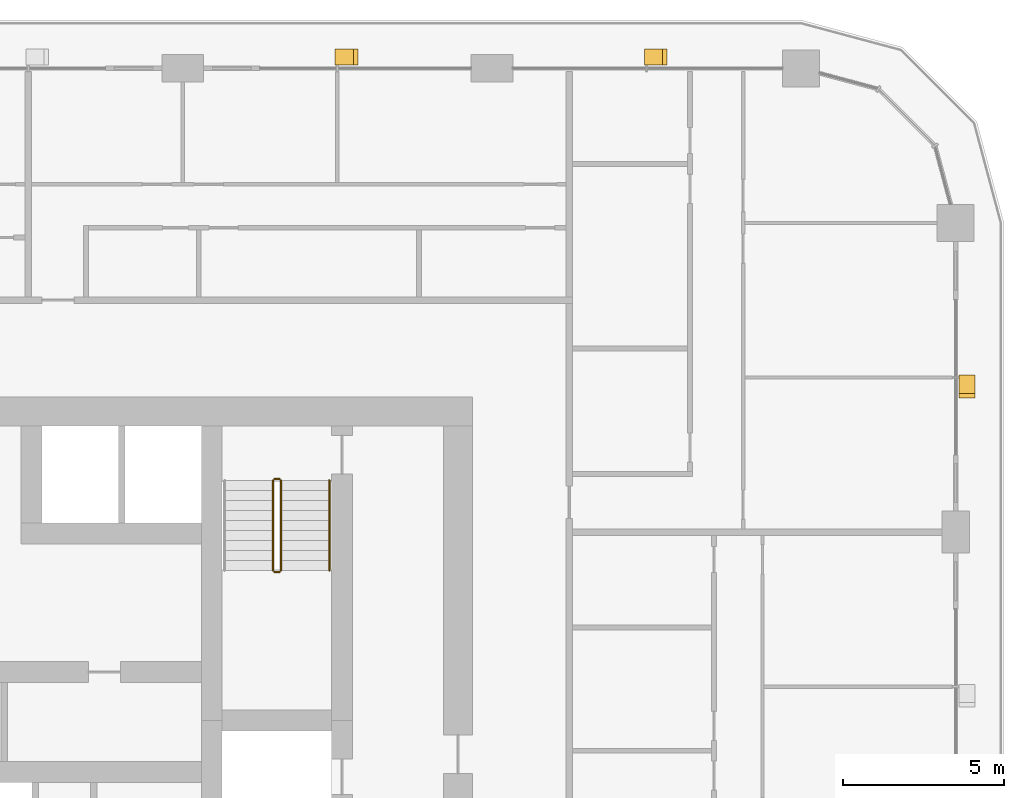
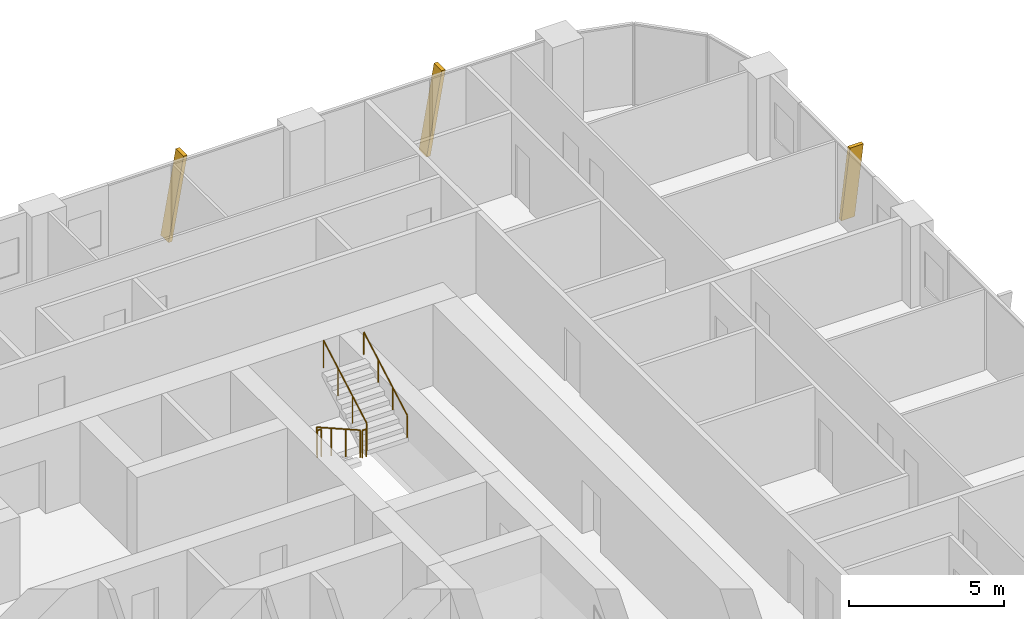
# One storey, part 22 of 22: 5 railings, 3 shading devices.
"""IFC4 building model written with IfcOpenShell, lengths in metres."""

from ifc_helpers import new_model, si_unit, direction, frame, origin, origin_2d, place, context, subcontext, project, spatial, polyline, circle, outline, extrude, material, type_object, element, save


model = new_model("IFC4")

# Units and contexts
model_context = context("Model", 3, precision=1e-05, world=origin(), true_north=direction((0.0, 1.0)))
body_context = subcontext(model_context, "Body", "Model", "MODEL_VIEW")
ifc_project = project(units=[si_unit("LENGTHUNIT", "METRE"), si_unit("AREAUNIT", "SQUARE_METRE"), si_unit("VOLUMEUNIT", "CUBIC_METRE"), si_unit("PLANEANGLEUNIT", "RADIAN"), si_unit("MASSUNIT", "GRAM", prefix="KILO")], contexts=[model_context])

# Site, building, storey
site_placement = place(None, origin())
site = spatial("IfcSite", under=ifc_project, at=site_placement, CompositionType="ELEMENT")
building_placement = place(site_placement, origin())
building = spatial("IfcBuilding", under=site, at=building_placement, Name="Madar Terraces", CompositionType="ELEMENT")
storey_placement = place(building_placement, frame((0.0, 0.0, 76.800048828125)))
storey = spatial("IfcBuildingStorey", under=building, at=storey_placement, Name="L19", CompositionType="ELEMENT", Elevation=76.800048828125)

# Shading devices
ifc_material_1 = material(Name="Aluminium, black anodised", Category="aluminium")
shading_device_type = type_object("IfcShadingDeviceType", Name="Facade fin blade 140 x 500", PredefinedType="USERDEFINED", material=ifc_material_1)
shading_device_placement = place(storey_placement, frame((62.75, 38.330078125, 0.0), z_axis=(0.0, 0.0, 1.0), x_axis=(0.0, 1.0, 0.0)))
element("IfcShadingDevice", 1, at=shading_device_placement, inside=storey, type_object=shading_device_type, Name="FIN L19 E4", ObjectType="FIN", PredefinedType="USERDEFINED", context=body_context, shape_type="SweptSolid", body=[
    extrude(outline(polyline([(0.0, 0.0), (0.139892578125, 0.0), (-0.42431640625, 3.199951171875), (-0.564208984375, 3.199951171875), (0.0, 0.0)])), frame((0.0, 0.25, 0.0), z_axis=(0.0, -1.0, 0.0), x_axis=(1.0, 0.0, 0.0)), (0.0, 0.0, 1.0), 0.5),
])
for number, where, z_axis, x_axis, name in (
    (2, (52.8701171875, 48.35009765625, 0.0), (0.0, 0.0, 1.0), (-1.0, 0.0, 0.0), "FIN L19 N1"),
    (3, (43.27001953125, 48.35009765625, 0.0), (0.0, 0.0, 1.0), (-1.0, 0.0, 0.0), "FIN L19 N2"),
):
    element("IfcShadingDevice", number, at=place(storey_placement, frame(where, z_axis=z_axis, x_axis=x_axis)), inside=storey, type_object=shading_device_type, Name=name, ObjectType="FIN", PredefinedType="USERDEFINED", context=body_context, shape_type="SweptSolid", body=[
        extrude(outline(polyline([(0.0, 0.0), (0.14013671875, 0.0), (-0.42431640625, 3.199951171875), (-0.564208984375, 3.199951171875), (0.0, 0.0)])), frame((0.0, 0.25, 0.0), z_axis=(0.0, -1.0, 0.0), x_axis=(1.0, 0.0, 0.0)), (0.0, 0.0, 1.0), 0.5),
    ])

# Railings
ifc_material_2 = material(Name="Stainless steel railing", Category="steel")
railing_type_1 = type_object("IfcRailingType", Name="Stair guard 1100", PredefinedType="GUARDRAIL", material=ifc_material_2)
railing_1_placement = place(storey_placement, frame((41.199951171875, 35.199951171875, 0.175048828125)))
element("IfcRailing", 4, at=railing_1_placement, inside=storey, type_object=railing_type_1, Name="L19 ST2 stair guard 1", PredefinedType="GUARDRAIL", context=body_context, shape_type="SweptSolid", body=[
    extrude(circle(Radius=0.02392578125, at=origin_2d()), frame((0.0, 0.0, 1.076171875), z_axis=(0.0, -0.870833779661, 0.491577591232), x_axis=(1.0, 0.0, 0.0)), (0.0, 0.0, 1.0), 3.203857421875),
    extrude(circle(Radius=0.02099609375, at=origin_2d()), origin(), (0.0, 0.0, 1.0), 1.052001953125),
    extrude(circle(Radius=0.02099609375, at=origin_2d()), frame((0.0, -0.929931640625, 0.52490234375)), (0.0, 0.0, 1.0), 1.052001953125),
    extrude(circle(Radius=0.02099609375, at=origin_2d()), frame((0.0, -1.860107421875, 1.050048828125)), (0.0, 0.0, 1.0), 1.052001953125),
    extrude(circle(Radius=0.02099609375, at=origin_2d()), frame((0.0, -2.7900390625, 1.574951171875)), (0.0, 0.0, 1.0), 1.052001953125),
])
railing_2_placement = place(storey_placement, frame((41.25, 32.360107421875, 1.75)))
element("IfcRailing", 5, at=railing_2_placement, inside=storey, type_object=railing_type_1, Name="L19 ST2 stair guard 2", PredefinedType="GUARDRAIL", context=body_context, shape_type="SweptSolid", body=[
    extrude(circle(Radius=0.02392578125, at=origin_2d()), frame((0.0, 0.0, 1.076171875), z_axis=(1.0, 0.0, 0.0), x_axis=(0.0, 1.0, 0.0)), (0.0, 0.0, 1.0), 0.14990234375),
    extrude(circle(Radius=0.02099609375, at=origin_2d()), origin(), (0.0, 0.0, 1.0), 1.052001953125),
    extrude(circle(Radius=0.02099609375, at=origin_2d()), frame((0.14990234375, 0.0, 0.0)), (0.0, 0.0, 1.0), 1.052001953125),
])
railing_3_placement = place(storey_placement, frame((41.449951171875, 32.409912109375, 1.925048828125)))
element("IfcRailing", 6, at=railing_3_placement, inside=storey, type_object=railing_type_1, Name="L19 ST2 stair guard 3", PredefinedType="GUARDRAIL", context=body_context, shape_type="SweptSolid", body=[
    extrude(circle(Radius=0.02392578125, at=origin_2d()), frame((0.0, 0.0, 1.076171875), z_axis=(0.0, 0.870833779661, 0.491577591232), x_axis=(-1.0, 0.0, 0.0)), (0.0, 0.0, 1.0), 3.203857421875),
    extrude(circle(Radius=0.02099609375, at=origin_2d()), origin(), (0.0, 0.0, 1.0), 1.052001953125),
    extrude(circle(Radius=0.02099609375, at=origin_2d()), frame((0.0, 0.929931640625, 0.52490234375)), (0.0, 0.0, 1.0), 1.052001953125),
    extrude(circle(Radius=0.02099609375, at=origin_2d()), frame((0.0, 1.860107421875, 1.050048828125)), (0.0, 0.0, 1.0), 1.052001953125),
    extrude(circle(Radius=0.02099609375, at=origin_2d()), frame((0.0, 2.7900390625, 1.574951171875)), (0.0, 0.0, 1.0), 1.052001953125),
])
railing_4_placement = place(storey_placement, frame((41.25, 35.25, 0.0)))
element("IfcRailing", 7, at=railing_4_placement, inside=storey, type_object=railing_type_1, Name="L19 ST2 stair guard 4", PredefinedType="GUARDRAIL", context=body_context, shape_type="SweptSolid", body=[
    extrude(circle(Radius=0.02392578125, at=origin_2d()), frame((0.0, 0.0, 1.076171875), z_axis=(1.0, 0.0, 0.0), x_axis=(0.0, 1.0, 0.0)), (0.0, 0.0, 1.0), 0.14990234375),
    extrude(circle(Radius=0.02099609375, at=origin_2d()), origin(), (0.0, 0.0, 1.0), 1.052001953125),
    extrude(circle(Radius=0.02099609375, at=origin_2d()), frame((0.14990234375, 0.0, 0.0)), (0.0, 0.0, 1.0), 1.052001953125),
])
ifc_material_3 = material(Name="Stainless steel railing", Category="steel")
railing_type_2 = type_object("IfcRailingType", Name="Stair handrail 900", PredefinedType="HANDRAIL", material=ifc_material_3)
railing_5_placement = place(storey_placement, frame((42.949951171875, 32.409912109375, 1.925048828125)))
element("IfcRailing", 8, at=railing_5_placement, inside=storey, type_object=railing_type_2, Name="L19 ST2 stair handrail 2", PredefinedType="HANDRAIL", context=body_context, shape_type="SweptSolid", body=[
    extrude(circle(Radius=0.02392578125, at=origin_2d()), frame((0.0, 0.0, 0.8759765625), z_axis=(0.0, 0.870833779661, 0.491577591232), x_axis=(-1.0, 0.0, 0.0)), (0.0, 0.0, 1.0), 3.203857421875),
    extrude(circle(Radius=0.02099609375, at=origin_2d()), origin(), (0.0, 0.0, 1.0), 0.851806640625),
    extrude(circle(Radius=0.02099609375, at=origin_2d()), frame((0.0, 0.929931640625, 0.52490234375)), (0.0, 0.0, 1.0), 0.851806640625),
    extrude(circle(Radius=0.02099609375, at=origin_2d()), frame((0.0, 1.860107421875, 1.050048828125)), (0.0, 0.0, 1.0), 0.851806640625),
    extrude(circle(Radius=0.02099609375, at=origin_2d()), frame((0.0, 2.7900390625, 1.574951171875)), (0.0, 0.0, 1.0), 0.851806640625),
])

save(model, "model.ifc")
